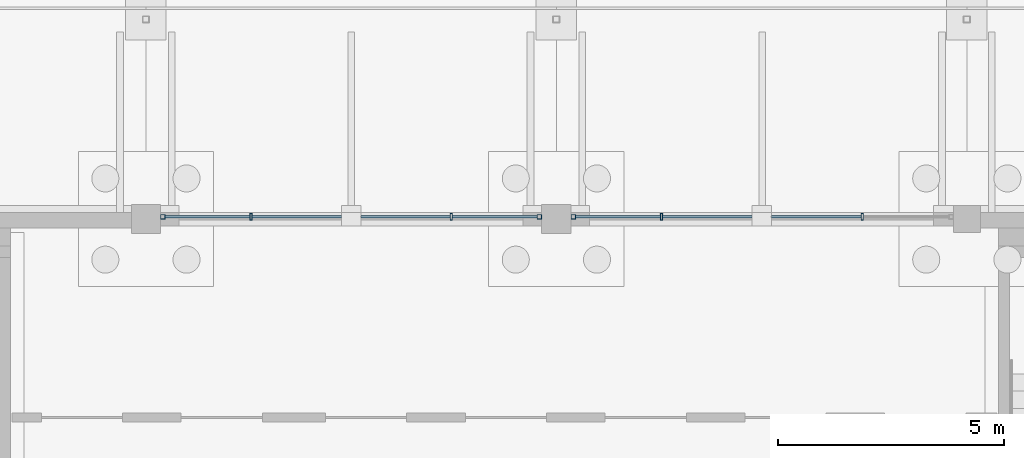
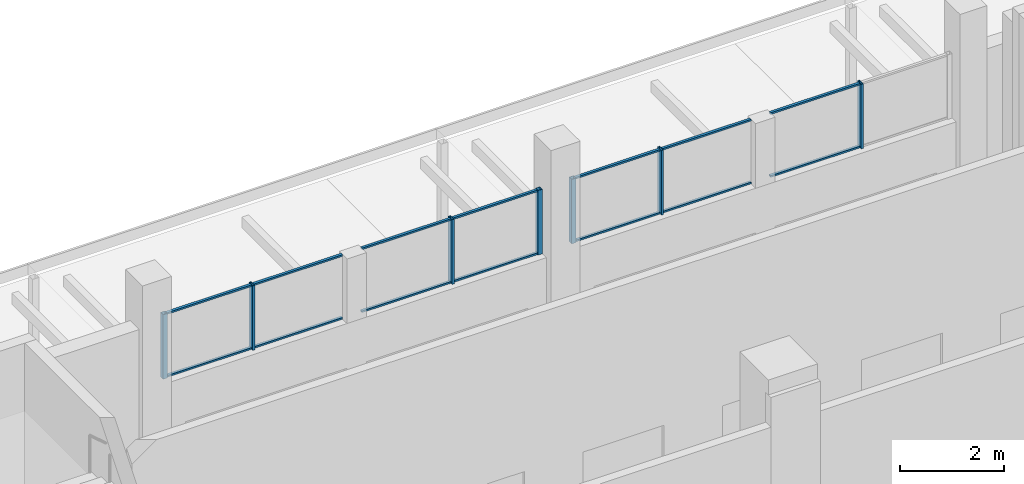
# One storey, part 56 of 129: 21 members, 4 elements without a shape of their own.
"""IFC4 building model written with IfcOpenShell, lengths in metres."""

import ifcopenshell
import ifcopenshell.guid

model = None  # the IFC model being written
_history = None  # IfcOwnerHistory: only IFC2X3 demands one
_inside = {}  # id of a spatial element -> (the spatial element, [elements in it])
_under = {}  # id of a project, library or spatial element -> (it, [spatial elements below it])
_declared = {}  # id of a project -> (the project, [libraries it declares])
_typed = {}  # id of a type object -> (the type object, [elements of that type])
_made_of = {}  # id of a material, layer set ... -> (it, [elements and type objects made of it])


def new_model(schema):
    """Start an empty IFC model of exactly this schema.

    Asked for "IFC4X3", IfcOpenShell would pick the latest addendum, in which some entities
    have other attributes; the version numbers below select the first issue.
    IFC2X3 requires an IfcOwnerHistory on every rooted entity: one is made here for all.
    """
    global model, _history
    if schema == "IFC4X3":
        model = ifcopenshell.file(schema_version=(4, 3, 0, 0))
    else:
        model = ifcopenshell.file(schema=schema)
    _inside.clear()
    _under.clear()
    _declared.clear()
    _typed.clear()
    _made_of.clear()
    _history = None
    if model.schema == "IFC2X3":
        org = make("IfcOrganization", Name="unknown")
        user = make(
            "IfcPersonAndOrganization",
            ThePerson=make("IfcPerson", FamilyName="unknown"),
            TheOrganization=org,
        )
        app = make(
            "IfcApplication",
            ApplicationDeveloper=org,
            Version="unknown",
            ApplicationFullName="unknown",
            ApplicationIdentifier="unknown",
        )
        _history = make(
            "IfcOwnerHistory",
            OwningUser=user,
            OwningApplication=app,
            ChangeAction="ADDED",
            CreationDate=0,
        )
    return model


def make(cls, **values):
    """One entity of the class cls with the attributes given. An attribute that is None is left unset."""
    return model.create_entity(
        cls, **{name: value for name, value in values.items() if value is not None}
    )


def rooted(cls, **values):
    """An entity with a GlobalId (a new one), such as an element, a storey or a relation."""
    return make(cls, GlobalId=ifcopenshell.guid.new(), OwnerHistory=_history, **values)


def si_unit(unit_type, name, prefix=None):
    """IfcSIUnit, for example si_unit("LENGTHUNIT", "METRE", prefix="MILLI")."""
    return make("IfcSIUnit", UnitType=unit_type, Prefix=prefix, Name=name)


def assignment(units):
    """IfcUnitAssignment: the units of a project."""
    return None if units is None else make("IfcUnitAssignment", Units=units)


def point(xyz):
    """IfcCartesianPoint."""
    return None if xyz is None else make("IfcCartesianPoint", Coordinates=xyz)


def direction(xyz):
    """IfcDirection."""
    return None if xyz is None else make("IfcDirection", DirectionRatios=xyz)


def frame(location, z_axis=None, x_axis=None):
    """IfcAxis2Placement3D, a coordinate frame: its origin and axes. An axis left out is left unset."""
    return make(
        "IfcAxis2Placement3D",
        Location=point(location),
        Axis=direction(z_axis),
        RefDirection=direction(x_axis),
    )


def frame_2d(location, x_axis=None):
    """IfcAxis2Placement2D, a coordinate frame in the plane: its origin and x axis."""
    return make(
        "IfcAxis2Placement2D", Location=point(location), RefDirection=direction(x_axis)
    )


def origin():
    """The frame at (0, 0, 0) with its axes left unset."""
    return frame((0.0, 0.0, 0.0))


def origin_2d():
    """The frame at (0, 0) in the plane with its x axis left unset."""
    return frame_2d((0.0, 0.0))


def place(relative_to, where):
    """IfcLocalPlacement: puts the frame where relative to a parent placement (None: the world)."""
    return make(
        "IfcLocalPlacement", PlacementRelTo=relative_to, RelativePlacement=where
    )


def context(
    kind, dimensions, precision=None, world=None, true_north=None, identifier=None
):
    """IfcGeometricRepresentationContext, for example the 3D "Model" context."""
    return make(
        "IfcGeometricRepresentationContext",
        ContextIdentifier=identifier,
        ContextType=kind,
        CoordinateSpaceDimension=dimensions,
        Precision=precision,
        WorldCoordinateSystem=world,
        TrueNorth=true_north,
    )


def subcontext(parent, identifier, kind, view, scale=None):
    """IfcGeometricRepresentationSubContext, for example "Body" below "Model"."""
    return make(
        "IfcGeometricRepresentationSubContext",
        ContextIdentifier=identifier,
        ContextType=kind,
        ParentContext=parent,
        TargetScale=scale,
        TargetView=view,
    )


def project(units=None, contexts=None):
    """IfcProject with its units and contexts."""
    return rooted(
        "IfcProject",
        Name="project",
        RepresentationContexts=contexts,
        UnitsInContext=assignment(units),
    )


def spatial(cls, under=None, at=None, **own):
    """A site, building, storey or space (cls), placed at a placement, below another one or the project."""
    s = rooted(cls, ObjectPlacement=at, **own)
    if under is not None:
        _under.setdefault(under.id(), (under, []))[1].append(s)
    return s


def profile(cls, at=None, kind="AREA", **sizes):
    """A parametric profile (cls). Its sizes go by their IFC names, for example OverallWidth=200.0."""
    return make(cls, ProfileType=kind, Position=at, **sizes)


def hollow_rectangle(**sizes):
    """IfcRectangleHollowProfileDef."""
    return profile("IfcRectangleHollowProfileDef", **sizes)


def extrude(swept, where, along, depth):
    """IfcExtrudedAreaSolid: the profile swept, set in the frame where, extruded along a direction by depth."""
    return make(
        "IfcExtrudedAreaSolid",
        SweptArea=swept,
        Position=where,
        ExtrudedDirection=direction(along),
        Depth=depth,
    )


def shape(context_of_items, identifier, shape_type, items):
    """IfcShapeRepresentation: the items that make up one representation, for example the "Body"."""
    return make(
        "IfcShapeRepresentation",
        ContextOfItems=context_of_items,
        RepresentationIdentifier=identifier,
        RepresentationType=shape_type,
        Items=items,
    )


def material(Name=None, Category=None):
    """IfcMaterial."""
    return make("IfcMaterial", Name=Name, Category=Category)


def layer(
    of_material, thickness, ventilated=None, Name=None, Category=None, Priority=None
):
    """IfcMaterialLayer: one layer of a wall or slab, of a material (None: an air gap)."""
    return make(
        "IfcMaterialLayer",
        Material=of_material,
        LayerThickness=thickness,
        IsVentilated=ventilated,
        Name=Name,
        Category=Category,
        Priority=Priority,
    )


def layer_set(layers, Name=None):
    """IfcMaterialLayerSet."""
    return make("IfcMaterialLayerSet", MaterialLayers=layers, LayerSetName=Name)


def material_profile(
    of_material, cross_section, Name=None, Category=None, Priority=None
):
    """IfcMaterialProfile: a cross section and its material."""
    return make(
        "IfcMaterialProfile",
        Name=Name,
        Material=of_material,
        Profile=cross_section,
        Priority=Priority,
        Category=Category,
    )


def profile_set(profiles, Name=None, composite=None):
    """IfcMaterialProfileSet."""
    return make(
        "IfcMaterialProfileSet",
        Name=Name,
        MaterialProfiles=profiles,
        CompositeProfile=composite,
    )


def made_of(thing, what):
    """Note that an element or type object is made of a material, layer set ...; save() writes the relation."""
    if what is not None:
        _made_of.setdefault(what.id(), (what, []))[1].append(thing)
    return thing


def type_object(cls, material=None, **own):
    """A type object (cls), such as IfcWallType, which elements share."""
    return made_of(rooted(cls, **own), material)


def element(
    cls,
    number,
    at=None,
    inside=None,
    cuts=None,
    type_object=None,
    material=None,
    context=None,
    identifier="Body",
    shape_type=None,
    held_by="IfcProductDefinitionShape",
    body=None,
    shapes=None,
    **own,
):
    """One element of the class cls, such as IfcWall. Its Tag is "e" and its number.

    at: its placement. inside: the storey or other place that contains it. cuts: it is an
    opening in that element (IfcRelVoidsElement). A single representation is given by context,
    identifier, shape_type and body (its items); several are given by shapes. held_by: the class
    of the entity that holds the representations. save() writes the other relations.
    """
    e = rooted(cls, Tag="e%d" % number, ObjectPlacement=at, **own)
    if body is not None:
        shapes = [shape(context, identifier, shape_type, body)]
    if shapes is not None:
        e.Representation = make(held_by, Representations=shapes)
    if inside is not None:
        _inside.setdefault(inside.id(), (inside, []))[1].append(e)
    if cuts is not None:
        rooted(
            "IfcRelVoidsElement", RelatingBuildingElement=cuts, RelatedOpeningElement=e
        )
    if type_object is not None:
        _typed.setdefault(type_object.id(), (type_object, []))[1].append(e)
    return made_of(e, material)


def aggregate(whole, parts):
    """IfcRelAggregates: a whole, such as a stair, and the parts it consists of."""
    return rooted("IfcRelAggregates", RelatingObject=whole, RelatedObjects=parts)


def save(model, path):
    """Write the relations noted so far, then the file.

    IfcRelAggregates (storeys below a building ...), IfcRelContainedInSpatialStructure (elements
    in a storey), IfcRelDefinesByType, IfcRelAssociatesMaterial and IfcRelDeclares: one each for
    every whole, place, type object, material and project.
    """
    for whole, parts in _under.values():
        aggregate(whole, parts)
    for where, things in _inside.values():
        rooted(
            "IfcRelContainedInSpatialStructure",
            RelatedElements=things,
            RelatingStructure=where,
        )
    for kind, things in _typed.values():
        rooted("IfcRelDefinesByType", RelatedObjects=things, RelatingType=kind)
    for what, things in _made_of.values():
        rooted("IfcRelAssociatesMaterial", RelatedObjects=things, RelatingMaterial=what)
    for by, libraries in _declared.values():
        rooted("IfcRelDeclares", RelatingContext=by, RelatedDefinitions=libraries)
    model.write(path)


model = new_model("IFC4")

# Units and contexts
model_context = context("Model", 3, precision=1e-05, world=origin(), true_north=direction((0.0, 1.0)))
body_context = subcontext(model_context, "Body", "Model", "MODEL_VIEW")
ifc_project = project(units=[si_unit("LENGTHUNIT", "METRE"), si_unit("AREAUNIT", "SQUARE_METRE"), si_unit("VOLUMEUNIT", "CUBIC_METRE"), si_unit("PLANEANGLEUNIT", "RADIAN"), si_unit("MASSUNIT", "GRAM", prefix="KILO")], contexts=[model_context])

# Site, building, storey
site_placement = place(None, origin())
site = spatial("IfcSite", under=ifc_project, at=site_placement, CompositionType="ELEMENT")
building_placement = place(site_placement, origin())
building = spatial("IfcBuilding", under=site, at=building_placement, Name="Shirokan Park Arena", CompositionType="ELEMENT")
storey_placement = place(building_placement, origin())
storey = spatial("IfcBuildingStorey", under=building, at=storey_placement, Name="L00", CompositionType="ELEMENT", Elevation=0.0)

# Curtain wall, member
ifc_material_1 = material(Name="Steel and glass curtain wall", Category="steel")
ifc_layer = layer(ifc_material_1, 0.199951171875)
ifc_layer_set = layer_set([ifc_layer], Name="Steel and glass curtain wall 200 mm")
curtain_wall_type = type_object("IfcCurtainWallType", Name="Curtain wall shopfront bay 200", PredefinedType="NOTDEFINED", material=ifc_layer_set)
curtain_wall_1_placement = place(storey_placement, origin())
curtain_wall_1 = element("IfcCurtainWall", 1, at=curtain_wall_1_placement, inside=storey, type_object=curtain_wall_type, Name="Curtain wall north bay 8 L00 clerestory 2", PredefinedType="NOTDEFINED")
ifc_material_2 = material(Name="Steel S355", Category="steel")
ifc_material_profile_1 = material_profile(ifc_material_2, hollow_rectangle(XDim=0.10009765625, YDim=0.10009765625, WallThickness=0.006103515625, at=origin_2d()), Name="RHS 100x100x6")
ifc_profile_set_1 = profile_set([ifc_material_profile_1], Name="Steel S355")
member_type_1 = type_object("IfcMemberType", Name="Mullion RHS 100x100x6", PredefinedType="MULLION", material=ifc_profile_set_1)
member_1_placement = place(storey_placement, frame((73.175048828125, 109.25, 3.75), z_axis=(0.0, 0.0, 1.0), x_axis=(0.0, -1.0, 0.0)))
member_1 = element("IfcMember", 2, at=member_1_placement, type_object=member_type_1, Name="CW4 mullion 3", PredefinedType="MULLION", context=body_context, shape_type="SweptSolid", body=[
    extrude(hollow_rectangle(XDim=0.10009765625, YDim=0.10009765625, WallThickness=0.006103515625, at=origin_2d()), origin(), (0.0, 0.0, 1.0), 1.52001953125),
])

curtain_wall_2_placement = place(storey_placement, origin())
curtain_wall_2 = element("IfcCurtainWall", 3, at=curtain_wall_2_placement, inside=storey, type_object=curtain_wall_type, Name="Curtain wall north bay 9 L00 clerestory 1", PredefinedType="NOTDEFINED")
member_2_placement = place(storey_placement, frame((72.425048828125, 109.25, 3.75), z_axis=(0.0, 0.0, 1.0), x_axis=(0.0, -1.0, 0.0)))
member_2 = element("IfcMember", 4, at=member_2_placement, type_object=member_type_1, Name="CW4 mullion 1", PredefinedType="MULLION", context=body_context, shape_type="SweptSolid", body=[
    extrude(hollow_rectangle(XDim=0.10009765625, YDim=0.10009765625, WallThickness=0.006103515625, at=origin_2d()), origin(), (0.0, 0.0, 1.0), 1.52001953125),
])

curtain_wall_3_placement = place(storey_placement, origin())
curtain_wall_3 = element("IfcCurtainWall", 5, at=curtain_wall_3_placement, inside=storey, type_object=curtain_wall_type, Name="Curtain wall north bay 9 L00 clerestory 2", PredefinedType="NOTDEFINED")
member_3_placement = place(storey_placement, frame((64.074951171875, 109.25, 3.75), z_axis=(0.0, 0.0, 1.0), x_axis=(0.0, -1.0, 0.0)))
member_3 = element("IfcMember", 6, at=member_3_placement, type_object=member_type_1, Name="CW4 mullion 3", PredefinedType="MULLION", context=body_context, shape_type="SweptSolid", body=[
    extrude(hollow_rectangle(XDim=0.10009765625, YDim=0.10009765625, WallThickness=0.006103515625, at=origin_2d()), origin(), (0.0, 0.0, 1.0), 1.52001953125),
])

curtain_wall_4_placement = place(storey_placement, origin())
curtain_wall_4 = element("IfcCurtainWall", 7, at=curtain_wall_4_placement, inside=storey, type_object=curtain_wall_type, Name="Curtain wall north bay 8 L00 clerestory 1", PredefinedType="NOTDEFINED")
ifc_material_profile_2 = material_profile(ifc_material_2, hollow_rectangle(XDim=0.14990234375, YDim=0.050048828125, WallThickness=0.006103515625, at=origin_2d()), Name="RHS 150x50x6")
ifc_profile_set_2 = profile_set([ifc_material_profile_2], Name="Steel S355")
member_type_2 = type_object("IfcMemberType", Name="Mullion RHS 150x50x6", PredefinedType="MULLION", material=ifc_profile_set_2)
member_4_placement = place(storey_placement, frame((79.58251953125, 109.25, 3.75), z_axis=(0.0, 0.0, 1.0), x_axis=(0.0, -1.0, 0.0)))
member_4 = element("IfcMember", 8, at=member_4_placement, type_object=member_type_2, Name="CW4 mullion 2", PredefinedType="MULLION", context=body_context, shape_type="SweptSolid", body=[
    extrude(hollow_rectangle(XDim=0.14990234375, YDim=0.050048828125, WallThickness=0.006103515625, at=origin_2d()), origin(), (0.0, 0.0, 1.0), 1.52001953125),
])

# Member
member_5_placement = place(storey_placement, frame((75.1298828125, 109.25, 3.75), z_axis=(0.0, 0.0, 1.0), x_axis=(0.0, -1.0, 0.0)))
member_5 = element("IfcMember", 9, at=member_5_placement, type_object=member_type_2, Name="CW4 mullion 2", PredefinedType="MULLION", context=body_context, shape_type="SweptSolid", body=[
    extrude(hollow_rectangle(XDim=0.14990234375, YDim=0.050048828125, WallThickness=0.006103515625, at=origin_2d()), origin(), (0.0, 0.0, 1.0), 1.52001953125),
])

member_6_placement = place(storey_placement, frame((70.469970703125, 109.25, 3.75), z_axis=(0.0, 0.0, 1.0), x_axis=(0.0, -1.0, 0.0)))
member_6 = element("IfcMember", 10, at=member_6_placement, type_object=member_type_2, Name="CW4 mullion 2", PredefinedType="MULLION", context=body_context, shape_type="SweptSolid", body=[
    extrude(hollow_rectangle(XDim=0.14990234375, YDim=0.050048828125, WallThickness=0.006103515625, at=origin_2d()), origin(), (0.0, 0.0, 1.0), 1.52001953125),
])

member_7_placement = place(storey_placement, frame((66.030029296875, 109.25, 3.75), z_axis=(0.0, 0.0, 1.0), x_axis=(0.0, -1.0, 0.0)))
member_7 = element("IfcMember", 11, at=member_7_placement, type_object=member_type_2, Name="CW4 mullion 2", PredefinedType="MULLION", context=body_context, shape_type="SweptSolid", body=[
    extrude(hollow_rectangle(XDim=0.14990234375, YDim=0.050048828125, WallThickness=0.006103515625, at=origin_2d()), origin(), (0.0, 0.0, 1.0), 1.52001953125),
])

ifc_material_profile_3 = material_profile(ifc_material_2, hollow_rectangle(XDim=0.06005859375, YDim=0.0400390625, WallThickness=0.00390625, at=origin_2d()), Name="RHS 60x40x4")
ifc_profile_set_3 = profile_set([ifc_material_profile_3], Name="Steel S355")
member_type_3 = type_object("IfcMemberType", Name="Transom RHS 60x40x4", PredefinedType="MULLION", material=ifc_profile_set_3)
member_8_placement = place(storey_placement, frame((79.5576171875, 109.25, 3.77001953125), z_axis=(-1.0, 0.0, 0.0), x_axis=(0.0, -1.0, 0.0)))
member_8 = element("IfcMember", 12, at=member_8_placement, type_object=member_type_3, Name="CW4 transom 2.1", PredefinedType="MULLION", context=body_context, shape_type="SweptSolid", body=[
    extrude(hollow_rectangle(XDim=0.06005859375, YDim=0.0400390625, WallThickness=0.00390625, at=origin_2d()), origin(), (0.0, 0.0, 1.0), 1.99267578125),
])

member_9_placement = place(storey_placement, frame((79.5576171875, 109.25, 5.25), z_axis=(-1.0, 0.0, 0.0), x_axis=(0.0, -1.0, 0.0)))
member_9 = element("IfcMember", 13, at=member_9_placement, type_object=member_type_3, Name="CW4 transom 2.2", PredefinedType="MULLION", context=body_context, shape_type="SweptSolid", body=[
    extrude(hollow_rectangle(XDim=0.06005859375, YDim=0.0400390625, WallThickness=0.00390625, at=origin_2d()), origin(), (0.0, 0.0, 1.0), 1.99267578125),
])

aggregate(curtain_wall_4, [member_4, member_8, member_9])

member_10_placement = place(storey_placement, frame((77.135009765625, 109.25, 3.77001953125), z_axis=(-1.0, 0.0, 0.0), x_axis=(0.0, -1.0, 0.0)))
member_10 = element("IfcMember", 14, at=member_10_placement, type_object=member_type_3, Name="CW4 transom 1.1", PredefinedType="MULLION", context=body_context, shape_type="SweptSolid", body=[
    extrude(hollow_rectangle(XDim=0.06005859375, YDim=0.0400390625, WallThickness=0.00390625, at=origin_2d()), origin(), (0.0, 0.0, 1.0), 1.97998046875),
])

member_11_placement = place(storey_placement, frame((77.135009765625, 109.25, 5.25), z_axis=(-1.0, 0.0, 0.0), x_axis=(0.0, -1.0, 0.0)))
member_11 = element("IfcMember", 15, at=member_11_placement, type_object=member_type_3, Name="CW4 transom 1.2", PredefinedType="MULLION", context=body_context, shape_type="SweptSolid", body=[
    extrude(hollow_rectangle(XDim=0.06005859375, YDim=0.0400390625, WallThickness=0.00390625, at=origin_2d()), origin(), (0.0, 0.0, 1.0), 1.97998046875),
])

member_12_placement = place(storey_placement, frame((75.10498046875, 109.25, 3.77001953125), z_axis=(-1.0, 0.0, 0.0), x_axis=(0.0, -1.0, 0.0)))
member_12 = element("IfcMember", 16, at=member_12_placement, type_object=member_type_3, Name="CW4 transom 2.1", PredefinedType="MULLION", context=body_context, shape_type="SweptSolid", body=[
    extrude(hollow_rectangle(XDim=0.06005859375, YDim=0.0400390625, WallThickness=0.00390625, at=origin_2d()), origin(), (0.0, 0.0, 1.0), 1.8798828125),
])

member_13_placement = place(storey_placement, frame((75.10498046875, 109.25, 5.25), z_axis=(-1.0, 0.0, 0.0), x_axis=(0.0, -1.0, 0.0)))
member_13 = element("IfcMember", 17, at=member_13_placement, type_object=member_type_3, Name="CW4 transom 2.2", PredefinedType="MULLION", context=body_context, shape_type="SweptSolid", body=[
    extrude(hollow_rectangle(XDim=0.06005859375, YDim=0.0400390625, WallThickness=0.00390625, at=origin_2d()), origin(), (0.0, 0.0, 1.0), 1.8798828125),
])

aggregate(curtain_wall_1, [member_5, member_1, member_10, member_11, member_12, member_13])

member_14_placement = place(storey_placement, frame((72.375, 109.25, 3.77001953125), z_axis=(-1.0, 0.0, 0.0), x_axis=(0.0, -1.0, 0.0)))
member_14 = element("IfcMember", 18, at=member_14_placement, type_object=member_type_3, Name="CW4 transom 1.1", PredefinedType="MULLION", context=body_context, shape_type="SweptSolid", body=[
    extrude(hollow_rectangle(XDim=0.06005859375, YDim=0.0400390625, WallThickness=0.00390625, at=origin_2d()), origin(), (0.0, 0.0, 1.0), 1.8798828125),
])

member_15_placement = place(storey_placement, frame((72.375, 109.25, 5.25), z_axis=(-1.0, 0.0, 0.0), x_axis=(0.0, -1.0, 0.0)))
member_15 = element("IfcMember", 19, at=member_15_placement, type_object=member_type_3, Name="CW4 transom 1.2", PredefinedType="MULLION", context=body_context, shape_type="SweptSolid", body=[
    extrude(hollow_rectangle(XDim=0.06005859375, YDim=0.0400390625, WallThickness=0.00390625, at=origin_2d()), origin(), (0.0, 0.0, 1.0), 1.8798828125),
])

member_16_placement = place(storey_placement, frame((70.445068359375, 109.25, 3.77001953125), z_axis=(-1.0, 0.0, 0.0), x_axis=(0.0, -1.0, 0.0)))
member_16 = element("IfcMember", 20, at=member_16_placement, type_object=member_type_3, Name="CW4 transom 2.1", PredefinedType="MULLION", context=body_context, shape_type="SweptSolid", body=[
    extrude(hollow_rectangle(XDim=0.06005859375, YDim=0.0400390625, WallThickness=0.00390625, at=origin_2d()), origin(), (0.0, 0.0, 1.0), 1.97998046875),
])

member_17_placement = place(storey_placement, frame((70.445068359375, 109.25, 5.25), z_axis=(-1.0, 0.0, 0.0), x_axis=(0.0, -1.0, 0.0)))
member_17 = element("IfcMember", 21, at=member_17_placement, type_object=member_type_3, Name="CW4 transom 2.2", PredefinedType="MULLION", context=body_context, shape_type="SweptSolid", body=[
    extrude(hollow_rectangle(XDim=0.06005859375, YDim=0.0400390625, WallThickness=0.00390625, at=origin_2d()), origin(), (0.0, 0.0, 1.0), 1.97998046875),
])

aggregate(curtain_wall_2, [member_2, member_6, member_14, member_15, member_16, member_17])

member_18_placement = place(storey_placement, frame((68.034912109375, 109.25, 3.77001953125), z_axis=(-1.0, 0.0, 0.0), x_axis=(0.0, -1.0, 0.0)))
member_18 = element("IfcMember", 22, at=member_18_placement, type_object=member_type_3, Name="CW4 transom 1.1", PredefinedType="MULLION", context=body_context, shape_type="SweptSolid", body=[
    extrude(hollow_rectangle(XDim=0.06005859375, YDim=0.0400390625, WallThickness=0.00390625, at=origin_2d()), origin(), (0.0, 0.0, 1.0), 1.97998046875),
])

member_19_placement = place(storey_placement, frame((68.034912109375, 109.25, 5.25), z_axis=(-1.0, 0.0, 0.0), x_axis=(0.0, -1.0, 0.0)))
member_19 = element("IfcMember", 23, at=member_19_placement, type_object=member_type_3, Name="CW4 transom 1.2", PredefinedType="MULLION", context=body_context, shape_type="SweptSolid", body=[
    extrude(hollow_rectangle(XDim=0.06005859375, YDim=0.0400390625, WallThickness=0.00390625, at=origin_2d()), origin(), (0.0, 0.0, 1.0), 1.97998046875),
])

member_20_placement = place(storey_placement, frame((66.0048828125, 109.25, 3.77001953125), z_axis=(-1.0, 0.0, 0.0), x_axis=(0.0, -1.0, 0.0)))
member_20 = element("IfcMember", 24, at=member_20_placement, type_object=member_type_3, Name="CW4 transom 2.1", PredefinedType="MULLION", context=body_context, shape_type="SweptSolid", body=[
    extrude(hollow_rectangle(XDim=0.06005859375, YDim=0.0400390625, WallThickness=0.00390625, at=origin_2d()), origin(), (0.0, 0.0, 1.0), 1.8798828125),
])

member_21_placement = place(storey_placement, frame((66.0048828125, 109.25, 5.25), z_axis=(-1.0, 0.0, 0.0), x_axis=(0.0, -1.0, 0.0)))
member_21 = element("IfcMember", 25, at=member_21_placement, type_object=member_type_3, Name="CW4 transom 2.2", PredefinedType="MULLION", context=body_context, shape_type="SweptSolid", body=[
    extrude(hollow_rectangle(XDim=0.06005859375, YDim=0.0400390625, WallThickness=0.00390625, at=origin_2d()), origin(), (0.0, 0.0, 1.0), 1.8798828125),
])

aggregate(curtain_wall_3, [member_7, member_3, member_18, member_19, member_20, member_21])

save(model, "model.ifc")
